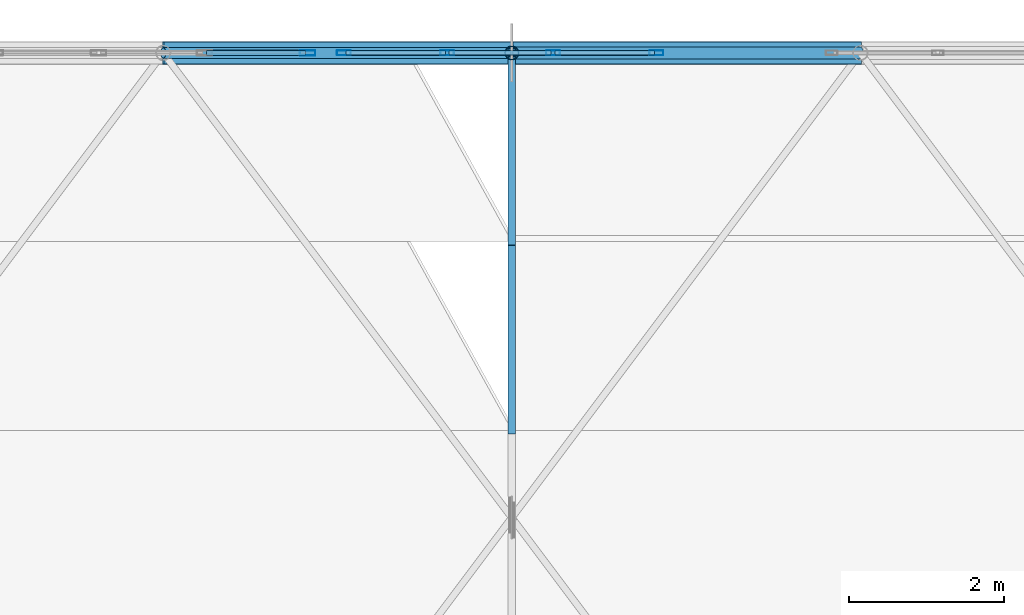
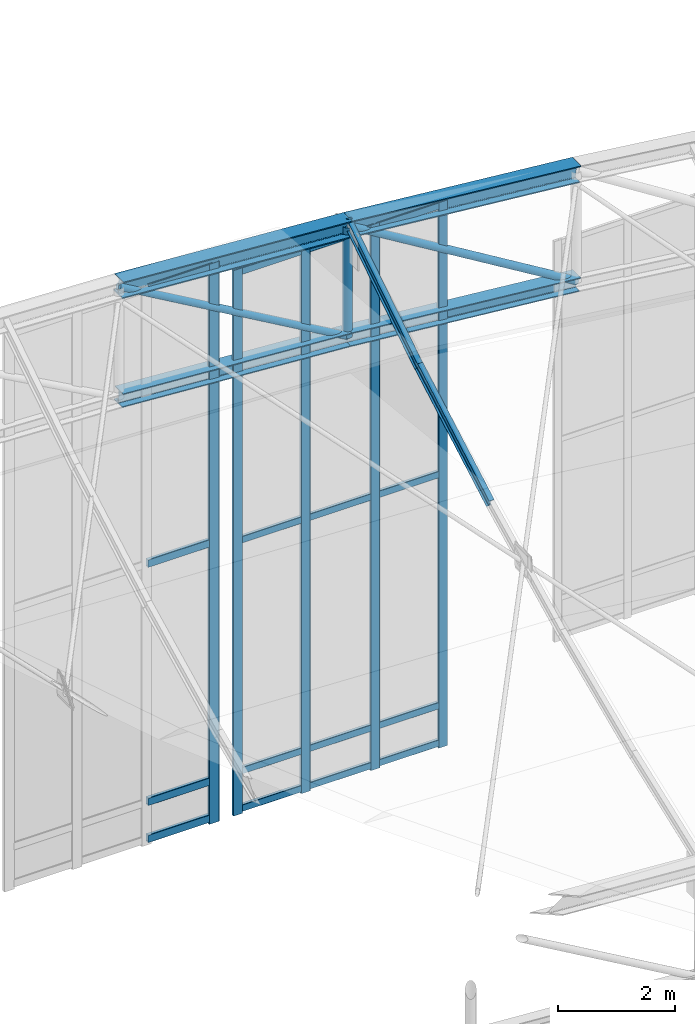
# One storey, part 199 of 262: 30 members, 2 elements without a shape of their own.
"""IFC4 building model written with IfcOpenShell, lengths in metres."""

from ifc_helpers import new_model, si_unit, derived_unit, direction, frame, origin, origin_2d, place, context, subcontext, project, spatial, hollow_rectangle, hollow_circle, i_section, extrude, material, layer, layer_set, material_profile, profile_set, type_object, element, aggregate, save


model = new_model("IFC4")

# Units and contexts
model_context = context("Model", 3, precision=1e-05, world=origin(), true_north=direction((0.0, 1.0)))
body_context = subcontext(model_context, "Body", "Model", "MODEL_VIEW")
ifc_project = project(units=[si_unit("LENGTHUNIT", "METRE"), si_unit("AREAUNIT", "SQUARE_METRE"), si_unit("VOLUMEUNIT", "CUBIC_METRE"), si_unit("PLANEANGLEUNIT", "RADIAN"), si_unit("MASSUNIT", "GRAM", prefix="KILO"), derived_unit("THERMALTRANSMITTANCEUNIT", [(si_unit("POWERUNIT", "WATT"), 1), (si_unit("LENGTHUNIT", "METRE"), -2), (si_unit("THERMODYNAMICTEMPERATUREUNIT", "KELVIN"), -1)])], contexts=[model_context])

# Site, building, storey
site_placement = place(None, origin())
site = spatial("IfcSite", under=ifc_project, at=site_placement, CompositionType="ELEMENT")
building_placement = place(site_placement, origin())
building = spatial("IfcBuilding", under=site, at=building_placement, Name="Almenara Railside Exhibition Hall", CompositionType="ELEMENT")
storey_placement = place(building_placement, frame((0.0, 0.0, 21.699951171875)))
storey = spatial("IfcBuildingStorey", under=building, at=storey_placement, Name="RF", CompositionType="ELEMENT", Elevation=21.699951171875)

# Members
ifc_material_1 = material(Name="Structural steel S355JR", Category="steel")
ifc_material_profile_1 = material_profile(ifc_material_1, i_section(OverallWidth=0.280029296875, OverallDepth=0.280029296875, WebThickness=0.010498046875, FlangeThickness=0.01806640625, FilletRadius=0.02392578125, at=origin_2d()), Name="HEB 280")
ifc_profile_set_1 = profile_set([ifc_material_profile_1], Name="Structural steel S355JR")
member_type_1 = type_object("IfcMemberType", Name="Arched Gable Bottom Chord HEB 280 S355JR", PredefinedType="CHORD", material=ifc_profile_set_1)
member_1_placement = place(storey_placement, frame((48.0, 132.0, 8.5556640625), z_axis=(0.997701025897, 0.0, -0.067769188608), x_axis=(0.0, 1.0, 0.0)))
element("IfcMember", 1, at=member_1_placement, inside=storey, type_object=member_type_1, Name="MEM-BC-V1-07-08", PredefinedType="CHORD", context=body_context, shape_type="SweptSolid", body=[
    extrude(i_section(OverallWidth=0.280029296875, OverallDepth=0.280029296875, WebThickness=0.010498046875, FlangeThickness=0.01806640625, FilletRadius=0.02392578125, at=origin_2d()), origin(), (0.0, 0.0, 1.0), 4.51025390625),
])
member_2_placement = place(storey_placement, frame((52.5, 132.0, 8.25), z_axis=(0.995512933083, 0.0, -0.094625578275), x_axis=(0.0, 1.0, 0.0)))
element("IfcMember", 2, at=member_2_placement, inside=storey, type_object=member_type_1, Name="MEM-BC-V1-07-09", PredefinedType="CHORD", context=body_context, shape_type="SweptSolid", body=[
    extrude(i_section(OverallWidth=0.280029296875, OverallDepth=0.280029296875, WebThickness=0.010498046875, FlangeThickness=0.01806640625, FilletRadius=0.02392578125, at=origin_2d()), origin(), (0.0, 0.0, 1.0), 4.520263671875),
])
ifc_material_profile_2 = material_profile(ifc_material_1, i_section(OverallWidth=0.300048828125, OverallDepth=0.340087890625, WebThickness=0.011962890625, FlangeThickness=0.021484375, FilletRadius=0.027099609375, at=origin_2d()), Name="HEB 340")
ifc_profile_set_2 = profile_set([ifc_material_profile_2], Name="Structural steel S355JR")
member_type_2 = type_object("IfcMemberType", Name="Arched Gable Top Chord HEB 340 S355JR", PredefinedType="CHORD", material=ifc_profile_set_2)
member_3_placement = place(storey_placement, frame((48.0, 132.0, 10.855712890625), z_axis=(0.997701025897, 0.0, -0.067769188608), x_axis=(0.0, 1.0, 0.0)))
element("IfcMember", 3, at=member_3_placement, inside=storey, type_object=member_type_2, Name="MEM-TC-V1-07-08", PredefinedType="CHORD", context=body_context, shape_type="SweptSolid", body=[
    extrude(i_section(OverallWidth=0.300048828125, OverallDepth=0.340087890625, WebThickness=0.011962890625, FlangeThickness=0.021484375, FilletRadius=0.027099609375, at=origin_2d()), origin(), (0.0, 0.0, 1.0), 4.51025390625),
])
member_4_placement = place(storey_placement, frame((52.5, 132.0, 10.550048828125), z_axis=(0.995512933083, 0.0, -0.094625578275), x_axis=(0.0, 1.0, 0.0)))
element("IfcMember", 4, at=member_4_placement, inside=storey, type_object=member_type_2, Name="MEM-TC-V1-07-09", PredefinedType="CHORD", context=body_context, shape_type="SweptSolid", body=[
    extrude(i_section(OverallWidth=0.300048828125, OverallDepth=0.340087890625, WebThickness=0.011962890625, FlangeThickness=0.021484375, FilletRadius=0.027099609375, at=origin_2d()), origin(), (0.0, 0.0, 1.0), 4.520263671875),
])

# Curtain wall, members
ifc_material_2 = material(Name="Bronze-anodised aluminium and low-E double glazing", Category="aluminium")
ifc_layer = layer(ifc_material_2, 0.179931640625, Name="Bronze-anodised aluminium and low-E double glazing")
ifc_layer_set = layer_set([ifc_layer], Name="Bronze-anodised aluminium and low-E double glazing")
curtain_wall_type = type_object("IfcCurtainWallType", Name="Scroll Gable Tall Curtain Wall 3800x5400", PredefinedType="NOTDEFINED", material=ifc_layer_set)
curtain_wall_1_placement = place(storey_placement, origin())
curtain_wall_1 = element("IfcCurtainWall", 5, at=curtain_wall_1_placement, inside=storey, type_object=curtain_wall_type, Name="Curtain wall CW-G1-213", PredefinedType="NOTDEFINED")
ifc_material_3 = material(Name="Bronze-anodised aluminium", Category="aluminium")
ifc_material_profile_3 = material_profile(ifc_material_3, hollow_rectangle(XDim=0.06494140625, YDim=0.179931640625, WallThickness=0.00390625, InnerFilletRadius=0.00390625, OuterFilletRadius=0.008056640625, at=origin_2d()), Name="ALU-MUL 65x180x4")
ifc_profile_set_3 = profile_set([ifc_material_profile_3], Name="Bronze-anodised aluminium")
member_type_3 = type_object("IfcMemberType", Name="Curtain Wall Mullion 65x180x4", PredefinedType="MULLION", material=ifc_profile_set_3)
member_5_placement = place(storey_placement, frame((50.33251953125, 132.0, -0.93505859375), z_axis=(0.0, 0.0, 1.0), x_axis=(0.0, 1.0, 0.0)))
member_5 = element("IfcMember", 6, at=member_5_placement, type_object=member_type_3, Name="CW-G1-213 mullion 1", PredefinedType="MULLION", context=body_context, shape_type="SweptSolid", body=[
    extrude(hollow_rectangle(XDim=0.06494140625, YDim=0.179931640625, WallThickness=0.00390625, InnerFilletRadius=0.00390625, OuterFilletRadius=0.008056640625, at=origin_2d()), origin(), (0.0, 0.0, 1.0), 11.34521484375),
])
member_6_placement = place(storey_placement, frame((51.666748046875, 132.0, -0.93505859375), z_axis=(0.0, 0.0, 1.0), x_axis=(0.0, 1.0, 0.0)))
member_6 = element("IfcMember", 7, at=member_6_placement, type_object=member_type_3, Name="CW-G1-213 mullion 2", PredefinedType="MULLION", context=body_context, shape_type="SweptSolid", body=[
    extrude(hollow_rectangle(XDim=0.06494140625, YDim=0.179931640625, WallThickness=0.00390625, InnerFilletRadius=0.00390625, OuterFilletRadius=0.008056640625, at=origin_2d()), origin(), (0.0, 0.0, 1.0), 11.34521484375),
])
member_7_placement = place(storey_placement, frame((53.033447265625, 132.0, -0.93505859375), z_axis=(0.0, 0.0, 1.0), x_axis=(0.0, 1.0, 0.0)))
member_7 = element("IfcMember", 8, at=member_7_placement, type_object=member_type_3, Name="CW-G1-213 mullion 3", PredefinedType="MULLION", context=body_context, shape_type="SweptSolid", body=[
    extrude(hollow_rectangle(XDim=0.06494140625, YDim=0.179931640625, WallThickness=0.00390625, InnerFilletRadius=0.00390625, OuterFilletRadius=0.008056640625, at=origin_2d()), origin(), (0.0, 0.0, 1.0), 11.34521484375),
])
member_8_placement = place(storey_placement, frame((54.367431640625, 132.0, -0.93505859375), z_axis=(0.0, 0.0, 1.0), x_axis=(0.0, 1.0, 0.0)))
member_8 = element("IfcMember", 9, at=member_8_placement, type_object=member_type_3, Name="CW-G1-213 mullion 4", PredefinedType="MULLION", context=body_context, shape_type="SweptSolid", body=[
    extrude(hollow_rectangle(XDim=0.06494140625, YDim=0.179931640625, WallThickness=0.00390625, InnerFilletRadius=0.00390625, OuterFilletRadius=0.008056640625, at=origin_2d()), origin(), (0.0, 0.0, 1.0), 11.34521484375),
])

# Curtain wall, member
curtain_wall_2_placement = place(storey_placement, origin())
curtain_wall_2 = element("IfcCurtainWall", 10, at=curtain_wall_2_placement, inside=storey, type_object=curtain_wall_type, Name="Curtain wall CW-G1-212", PredefinedType="NOTDEFINED")
ifc_material_profile_4 = material_profile(ifc_material_3, hollow_rectangle(XDim=0.070068359375, YDim=0.199951171875, WallThickness=0.00439453125, InnerFilletRadius=0.00439453125, OuterFilletRadius=0.009033203125, at=origin_2d()), Name="ALU-MUL 70x200x4.5")
ifc_profile_set_4 = profile_set([ifc_material_profile_4], Name="Bronze-anodised aluminium")
member_type_4 = type_object("IfcMemberType", Name="Curtain Wall Mullion 70x200x4.5", PredefinedType="MULLION", material=ifc_profile_set_4)
member_9_placement = place(storey_placement, frame((49.864990234375, 132.0, -0.93505859375), z_axis=(0.0, 0.0, 1.0), x_axis=(0.0, 1.0, 0.0)))
member_9 = element("IfcMember", 11, at=member_9_placement, type_object=member_type_4, Name="CW-G1-212 mullion 4", PredefinedType="MULLION", context=body_context, shape_type="SweptSolid", body=[
    extrude(hollow_rectangle(XDim=0.070068359375, YDim=0.199951171875, WallThickness=0.00439453125, InnerFilletRadius=0.00439453125, OuterFilletRadius=0.009033203125, at=origin_2d()), origin(), (0.0, 0.0, 1.0), 11.64501953125),
])

# Member
ifc_material_profile_5 = material_profile(ifc_material_3, hollow_rectangle(XDim=0.06494140625, YDim=0.139892578125, WallThickness=0.00341796875, InnerFilletRadius=0.00341796875, OuterFilletRadius=0.007080078125, at=origin_2d()), Name="ALU-TRN 65x140x3.5")
ifc_profile_set_5 = profile_set([ifc_material_profile_5], Name="Bronze-anodised aluminium")
member_type_5 = type_object("IfcMemberType", Name="Curtain Wall Transom 65x140x3.5", PredefinedType="USERDEFINED", material=ifc_profile_set_5)
member_10_placement = place(storey_placement, frame((50.35693359375, 132.0, -0.829833984375), z_axis=(1.0, 0.0, 0.0), x_axis=(0.0, 1.0, 0.0)))
member_10 = element("IfcMember", 12, at=member_10_placement, type_object=member_type_5, Name="CW-G1-213 transom 1.1", ObjectType="TRANSOM", PredefinedType="USERDEFINED", context=body_context, shape_type="SweptSolid", body=[
    extrude(hollow_rectangle(XDim=0.06494140625, YDim=0.139892578125, WallThickness=0.00341796875, InnerFilletRadius=0.00341796875, OuterFilletRadius=0.007080078125, at=origin_2d()), origin(), (0.0, 0.0, 1.0), 1.28515625),
])

member_11_placement = place(storey_placement, frame((50.35693359375, 132.0, -0.050048828125), z_axis=(1.0, 0.0, 0.0), x_axis=(0.0, 1.0, 0.0)))
member_11 = element("IfcMember", 13, at=member_11_placement, type_object=member_type_5, Name="CW-G1-213 transom 1.2", ObjectType="TRANSOM", PredefinedType="USERDEFINED", context=body_context, shape_type="SweptSolid", body=[
    extrude(hollow_rectangle(XDim=0.06494140625, YDim=0.139892578125, WallThickness=0.00341796875, InnerFilletRadius=0.00341796875, OuterFilletRadius=0.007080078125, at=origin_2d()), origin(), (0.0, 0.0, 1.0), 1.28515625),
])

member_12_placement = place(storey_placement, frame((50.35693359375, 132.0, 4.755126953125), z_axis=(1.0, 0.0, 0.0), x_axis=(0.0, 1.0, 0.0)))
member_12 = element("IfcMember", 14, at=member_12_placement, type_object=member_type_5, Name="CW-G1-213 transom 1.3", ObjectType="TRANSOM", PredefinedType="USERDEFINED", context=body_context, shape_type="SweptSolid", body=[
    extrude(hollow_rectangle(XDim=0.06494140625, YDim=0.139892578125, WallThickness=0.00341796875, InnerFilletRadius=0.00341796875, OuterFilletRadius=0.007080078125, at=origin_2d()), origin(), (0.0, 0.0, 1.0), 1.28515625),
])

member_13_placement = place(storey_placement, frame((50.35693359375, 132.0, 10.340087890625), z_axis=(1.0, 0.0, 0.0), x_axis=(0.0, 1.0, 0.0)))
member_13 = element("IfcMember", 15, at=member_13_placement, type_object=member_type_5, Name="CW-G1-213 transom 1.4", ObjectType="TRANSOM", PredefinedType="USERDEFINED", context=body_context, shape_type="SweptSolid", body=[
    extrude(hollow_rectangle(XDim=0.06494140625, YDim=0.139892578125, WallThickness=0.00341796875, InnerFilletRadius=0.00341796875, OuterFilletRadius=0.007080078125, at=origin_2d()), origin(), (0.0, 0.0, 1.0), 1.28515625),
])

member_14_placement = place(storey_placement, frame((51.691162109375, 132.0, -0.829833984375), z_axis=(1.0, 0.0, 0.0), x_axis=(0.0, 1.0, 0.0)))
member_14 = element("IfcMember", 16, at=member_14_placement, type_object=member_type_5, Name="CW-G1-213 transom 2.1", ObjectType="TRANSOM", PredefinedType="USERDEFINED", context=body_context, shape_type="SweptSolid", body=[
    extrude(hollow_rectangle(XDim=0.06494140625, YDim=0.139892578125, WallThickness=0.00341796875, InnerFilletRadius=0.00341796875, OuterFilletRadius=0.007080078125, at=origin_2d()), origin(), (0.0, 0.0, 1.0), 1.317626953125),
])

member_15_placement = place(storey_placement, frame((51.691162109375, 132.0, -0.050048828125), z_axis=(1.0, 0.0, 0.0), x_axis=(0.0, 1.0, 0.0)))
member_15 = element("IfcMember", 17, at=member_15_placement, type_object=member_type_5, Name="CW-G1-213 transom 2.2", ObjectType="TRANSOM", PredefinedType="USERDEFINED", context=body_context, shape_type="SweptSolid", body=[
    extrude(hollow_rectangle(XDim=0.06494140625, YDim=0.139892578125, WallThickness=0.00341796875, InnerFilletRadius=0.00341796875, OuterFilletRadius=0.007080078125, at=origin_2d()), origin(), (0.0, 0.0, 1.0), 1.317626953125),
])

member_16_placement = place(storey_placement, frame((51.691162109375, 132.0, 4.755126953125), z_axis=(1.0, 0.0, 0.0), x_axis=(0.0, 1.0, 0.0)))
member_16 = element("IfcMember", 18, at=member_16_placement, type_object=member_type_5, Name="CW-G1-213 transom 2.3", ObjectType="TRANSOM", PredefinedType="USERDEFINED", context=body_context, shape_type="SweptSolid", body=[
    extrude(hollow_rectangle(XDim=0.06494140625, YDim=0.139892578125, WallThickness=0.00341796875, InnerFilletRadius=0.00341796875, OuterFilletRadius=0.007080078125, at=origin_2d()), origin(), (0.0, 0.0, 1.0), 1.317626953125),
])

member_17_placement = place(storey_placement, frame((51.691162109375, 132.0, 10.340087890625), z_axis=(1.0, 0.0, 0.0), x_axis=(0.0, 1.0, 0.0)))
member_17 = element("IfcMember", 19, at=member_17_placement, type_object=member_type_5, Name="CW-G1-213 transom 2.4", ObjectType="TRANSOM", PredefinedType="USERDEFINED", context=body_context, shape_type="SweptSolid", body=[
    extrude(hollow_rectangle(XDim=0.06494140625, YDim=0.139892578125, WallThickness=0.00341796875, InnerFilletRadius=0.00341796875, OuterFilletRadius=0.007080078125, at=origin_2d()), origin(), (0.0, 0.0, 1.0), 1.317626953125),
])

member_18_placement = place(storey_placement, frame((53.057861328125, 132.0, -0.829833984375), z_axis=(1.0, 0.0, 0.0), x_axis=(0.0, 1.0, 0.0)))
member_18 = element("IfcMember", 20, at=member_18_placement, type_object=member_type_5, Name="CW-G1-213 transom 3.1", ObjectType="TRANSOM", PredefinedType="USERDEFINED", context=body_context, shape_type="SweptSolid", body=[
    extrude(hollow_rectangle(XDim=0.06494140625, YDim=0.139892578125, WallThickness=0.00341796875, InnerFilletRadius=0.00341796875, OuterFilletRadius=0.007080078125, at=origin_2d()), origin(), (0.0, 0.0, 1.0), 1.28515625),
])

member_19_placement = place(storey_placement, frame((53.057861328125, 132.0, -0.050048828125), z_axis=(1.0, 0.0, 0.0), x_axis=(0.0, 1.0, 0.0)))
member_19 = element("IfcMember", 21, at=member_19_placement, type_object=member_type_5, Name="CW-G1-213 transom 3.2", ObjectType="TRANSOM", PredefinedType="USERDEFINED", context=body_context, shape_type="SweptSolid", body=[
    extrude(hollow_rectangle(XDim=0.06494140625, YDim=0.139892578125, WallThickness=0.00341796875, InnerFilletRadius=0.00341796875, OuterFilletRadius=0.007080078125, at=origin_2d()), origin(), (0.0, 0.0, 1.0), 1.28515625),
])

member_20_placement = place(storey_placement, frame((53.057861328125, 132.0, 4.755126953125), z_axis=(1.0, 0.0, 0.0), x_axis=(0.0, 1.0, 0.0)))
member_20 = element("IfcMember", 22, at=member_20_placement, type_object=member_type_5, Name="CW-G1-213 transom 3.3", ObjectType="TRANSOM", PredefinedType="USERDEFINED", context=body_context, shape_type="SweptSolid", body=[
    extrude(hollow_rectangle(XDim=0.06494140625, YDim=0.139892578125, WallThickness=0.00341796875, InnerFilletRadius=0.00341796875, OuterFilletRadius=0.007080078125, at=origin_2d()), origin(), (0.0, 0.0, 1.0), 1.28515625),
])

member_21_placement = place(storey_placement, frame((53.057861328125, 132.0, 10.340087890625), z_axis=(1.0, 0.0, 0.0), x_axis=(0.0, 1.0, 0.0)))
member_21 = element("IfcMember", 23, at=member_21_placement, type_object=member_type_5, Name="CW-G1-213 transom 3.4", ObjectType="TRANSOM", PredefinedType="USERDEFINED", context=body_context, shape_type="SweptSolid", body=[
    extrude(hollow_rectangle(XDim=0.06494140625, YDim=0.139892578125, WallThickness=0.00341796875, InnerFilletRadius=0.00341796875, OuterFilletRadius=0.007080078125, at=origin_2d()), origin(), (0.0, 0.0, 1.0), 1.28515625),
])

aggregate(curtain_wall_1, [member_5, member_6, member_7, member_8, member_10, member_11, member_12, member_13, member_14, member_15, member_16, member_17, member_18, member_19, member_20, member_21])

ifc_material_profile_6 = material_profile(ifc_material_3, hollow_rectangle(XDim=0.070068359375, YDim=0.159912109375, WallThickness=0.00390625, InnerFilletRadius=0.00390625, OuterFilletRadius=0.008056640625, at=origin_2d()), Name="ALU-TRN 70x160x4")
ifc_profile_set_6 = profile_set([ifc_material_profile_6], Name="Bronze-anodised aluminium")
member_type_6 = type_object("IfcMemberType", Name="Curtain Wall Transom 70x160x4", PredefinedType="USERDEFINED", material=ifc_profile_set_6)
member_22_placement = place(storey_placement, frame((48.560302734375, 132.0, -0.820068359375), z_axis=(1.0, 0.0, 0.0), x_axis=(0.0, 1.0, 0.0)))
member_22 = element("IfcMember", 24, at=member_22_placement, type_object=member_type_6, Name="CW-G1-212 transom 3.1", ObjectType="TRANSOM", PredefinedType="USERDEFINED", context=body_context, shape_type="SweptSolid", body=[
    extrude(hollow_rectangle(XDim=0.070068359375, YDim=0.159912109375, WallThickness=0.00390625, InnerFilletRadius=0.00390625, OuterFilletRadius=0.008056640625, at=origin_2d()), origin(), (0.0, 0.0, 1.0), 1.277587890625),
])

member_23_placement = place(storey_placement, frame((48.560302734375, 132.0, -0.050048828125), z_axis=(1.0, 0.0, 0.0), x_axis=(0.0, 1.0, 0.0)))
member_23 = element("IfcMember", 25, at=member_23_placement, type_object=member_type_6, Name="CW-G1-212 transom 3.2", ObjectType="TRANSOM", PredefinedType="USERDEFINED", context=body_context, shape_type="SweptSolid", body=[
    extrude(hollow_rectangle(XDim=0.070068359375, YDim=0.159912109375, WallThickness=0.00390625, InnerFilletRadius=0.00390625, OuterFilletRadius=0.008056640625, at=origin_2d()), origin(), (0.0, 0.0, 1.0), 1.277587890625),
])

member_24_placement = place(storey_placement, frame((48.560302734375, 132.0, 4.905029296875), z_axis=(1.0, 0.0, 0.0), x_axis=(0.0, 1.0, 0.0)))
member_24 = element("IfcMember", 26, at=member_24_placement, type_object=member_type_6, Name="CW-G1-212 transom 3.3", ObjectType="TRANSOM", PredefinedType="USERDEFINED", context=body_context, shape_type="SweptSolid", body=[
    extrude(hollow_rectangle(XDim=0.070068359375, YDim=0.159912109375, WallThickness=0.00390625, InnerFilletRadius=0.00390625, OuterFilletRadius=0.008056640625, at=origin_2d()), origin(), (0.0, 0.0, 1.0), 1.277587890625),
])

member_25_placement = place(storey_placement, frame((48.560302734375, 132.0, 10.630126953125), z_axis=(1.0, 0.0, 0.0), x_axis=(0.0, 1.0, 0.0)))
member_25 = element("IfcMember", 27, at=member_25_placement, type_object=member_type_6, Name="CW-G1-212 transom 3.4", ObjectType="TRANSOM", PredefinedType="USERDEFINED", context=body_context, shape_type="SweptSolid", body=[
    extrude(hollow_rectangle(XDim=0.070068359375, YDim=0.159912109375, WallThickness=0.00390625, InnerFilletRadius=0.00390625, OuterFilletRadius=0.008056640625, at=origin_2d()), origin(), (0.0, 0.0, 1.0), 1.277587890625),
])

aggregate(curtain_wall_2, [member_9, member_22, member_23, member_24, member_25])

# Members
ifc_material_profile_7 = material_profile(ifc_material_1, i_section(OverallWidth=0.10009765625, OverallDepth=0.199951171875, WebThickness=0.005615234375, FlangeThickness=0.008544921875, FilletRadius=0.011962890625, at=origin_2d()), Name="IPE 200")
ifc_profile_set_7 = profile_set([ifc_material_profile_7], Name="Structural steel S355JR")
member_type_7 = type_object("IfcMemberType", Name="Standard Hall Roof Purlin IPE 200 S355JR", PredefinedType="PURLIN", material=ifc_profile_set_7)
member_26_placement = place(storey_placement, frame((52.5, 127.126708984375, 7.724365234375), z_axis=(0.0, 0.870445855666, 0.492264169277), x_axis=(-1.0, 0.0, 0.0)))
element("IfcMember", 28, at=member_26_placement, inside=storey, type_object=member_type_7, Name="MEM-PR-V1-PR-IPE200-06-26", PredefinedType="PURLIN", context=body_context, shape_type="SweptSolid", body=[
    extrude(i_section(OverallWidth=0.10009765625, OverallDepth=0.199951171875, WebThickness=0.005615234375, FlangeThickness=0.008544921875, FilletRadius=0.011962890625, at=origin_2d()), origin(), (0.0, 0.0, 1.0), 2.799072265625),
])
member_27_placement = place(storey_placement, frame((52.5, 129.563232421875, 9.09130859375), z_axis=(0.0, 0.842226955435, 0.539123135785), x_axis=(-1.0, 0.0, 0.0)))
element("IfcMember", 29, at=member_27_placement, inside=storey, type_object=member_type_7, Name="MEM-PR-V1-PR-IPE200-06-27", PredefinedType="PURLIN", context=body_context, shape_type="SweptSolid", body=[
    extrude(i_section(OverallWidth=0.10009765625, OverallDepth=0.199951171875, WebThickness=0.005615234375, FlangeThickness=0.008544921875, FilletRadius=0.011962890625, at=origin_2d()), origin(), (0.0, 0.0, 1.0), 2.893310546875),
])
ifc_material_profile_8 = material_profile(ifc_material_1, hollow_circle(Radius=0.06982421875, WallThickness=0.0048828125, at=origin_2d()), Name="CHS 139.7x5")
ifc_profile_set_8 = profile_set([ifc_material_profile_8], Name="Structural steel S355JR")
member_type_8 = type_object("IfcMemberType", Name="Truss Inner Diagonal CHS 139.7x5 S355JR", PredefinedType="BRACE", material=ifc_profile_set_8)
member_28_placement = place(storey_placement, frame((48.0, 132.0, 10.855712890625), z_axis=(0.865388781224, 0.0, -0.501101045031), x_axis=(0.0, 1.0, 0.0)))
element("IfcMember", 30, at=member_28_placement, inside=storey, type_object=member_type_8, Name="MEM-TD-V1-07-08", PredefinedType="BRACE", context=body_context, shape_type="SweptSolid", body=[
    extrude(hollow_circle(Radius=0.06982421875, WallThickness=0.0048828125, at=origin_2d()), origin(), (0.0, 0.0, 1.0), 5.199951171875),
])
ifc_material_profile_9 = material_profile(ifc_material_1, hollow_circle(Radius=0.076171875, WallThickness=0.0048828125, at=origin_2d()), Name="CHS 152.4x5")
ifc_profile_set_9 = profile_set([ifc_material_profile_9], Name="Structural steel S355JR")
member_type_9 = type_object("IfcMemberType", Name="Truss Mid Diagonal CHS 152.4x5 S355JR", PredefinedType="BRACE", material=ifc_profile_set_9)
member_29_placement = place(storey_placement, frame((52.5, 132.0, 10.550048828125), z_axis=(0.855154829777, 0.0, -0.518372662386), x_axis=(0.0, 1.0, 0.0)))
element("IfcMember", 31, at=member_29_placement, inside=storey, type_object=member_type_9, Name="MEM-TD-V1-07-09", PredefinedType="BRACE", context=body_context, shape_type="SweptSolid", body=[
    extrude(hollow_circle(Radius=0.076171875, WallThickness=0.0048828125, at=origin_2d()), origin(), (0.0, 0.0, 1.0), 5.26220703125),
])
ifc_material_profile_10 = material_profile(ifc_material_1, hollow_circle(Radius=0.0888671875, WallThickness=0.006103515625, at=origin_2d()), Name="CHS 177.8x6")
ifc_profile_set_10 = profile_set([ifc_material_profile_10], Name="Structural steel S355JR")
member_type_10 = type_object("IfcMemberType", Name="Truss Quarter Vertical Strut CHS 177.8x6 S355JR", PredefinedType="BRACE", material=ifc_profile_set_10)
member_30_placement = place(storey_placement, frame((52.5, 132.0, 8.25), z_axis=(0.0, 0.0, 1.0), x_axis=(1.0, 0.0, 0.0)))
element("IfcMember", 32, at=member_30_placement, inside=storey, type_object=member_type_10, Name="MEM-TV-V1-07-09", PredefinedType="BRACE", context=body_context, shape_type="SweptSolid", body=[
    extrude(hollow_circle(Radius=0.0888671875, WallThickness=0.006103515625, at=origin_2d()), origin(), (0.0, 0.0, 1.0), 2.300048828125),
])

save(model, "model.ifc")
